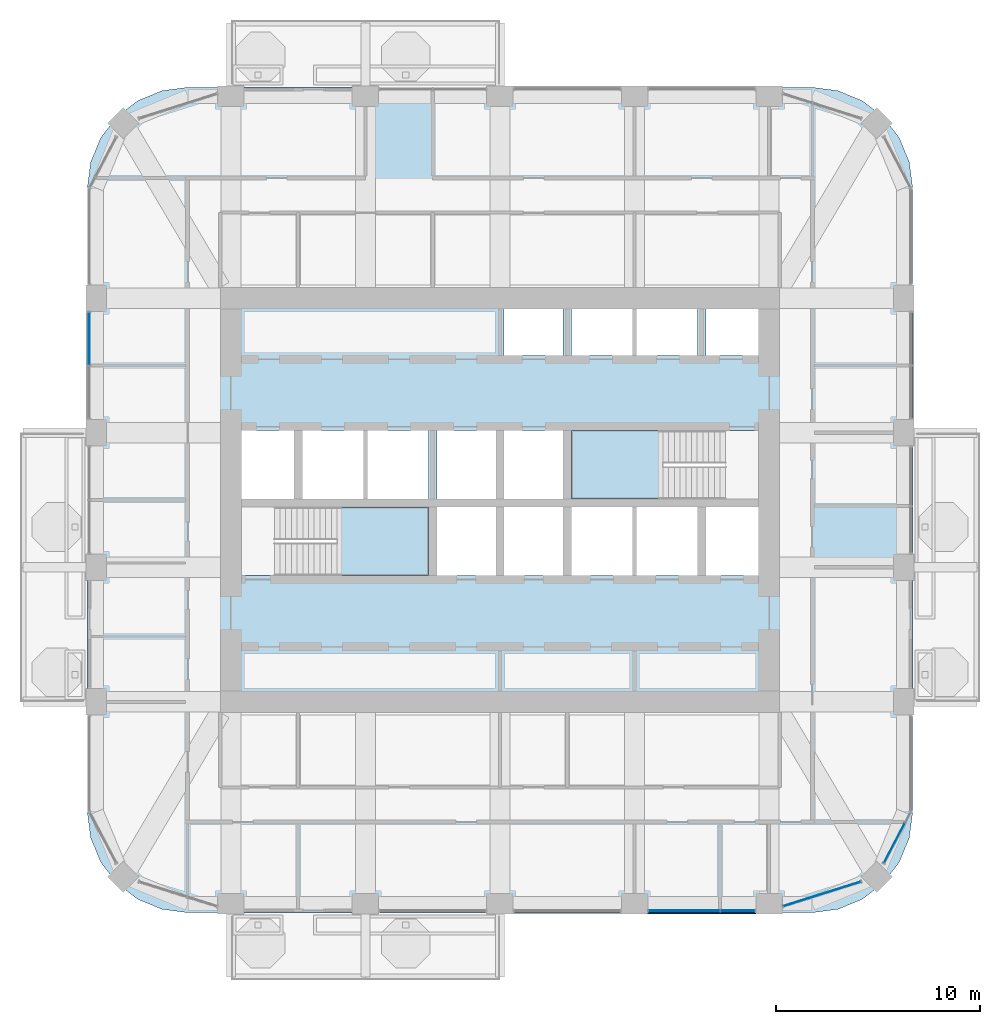
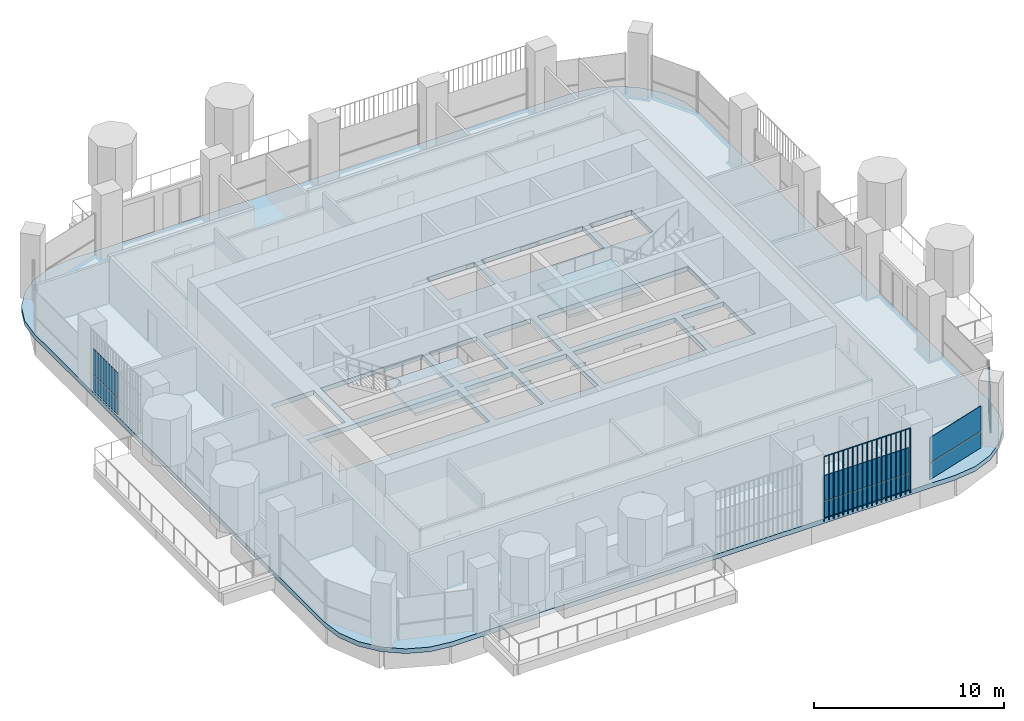
# One storey, part 8 of 19: 11 plates, 3 slabs, 6 elements without a shape of their own.
"""IFC4 building model written with IfcOpenShell, lengths in metres."""

from ifc_helpers import new_model, si_unit, direction, frame, origin, origin_2d, place, context, subcontext, project, spatial, polyline, rectangle, outline, extrude, material, layer, layer_set, type_object, element, aggregate, save


model = new_model("IFC4")

# Units and contexts
model_context = context("Model", 3, precision=1e-05, world=origin(), true_north=direction((0.0, 1.0)))
body_context = subcontext(model_context, "Body", "Model", "MODEL_VIEW")
ifc_project = project(units=[si_unit("LENGTHUNIT", "METRE"), si_unit("AREAUNIT", "SQUARE_METRE"), si_unit("VOLUMEUNIT", "CUBIC_METRE"), si_unit("PLANEANGLEUNIT", "RADIAN"), si_unit("MASSUNIT", "GRAM", prefix="KILO")], contexts=[model_context])

# Site, building, storey
site_placement = place(None, origin())
site = spatial("IfcSite", under=ifc_project, at=site_placement, CompositionType="ELEMENT")
building_placement = place(site_placement, origin())
building = spatial("IfcBuilding", under=site, at=building_placement, Name="Cobogo Forest Laboratory Tower", CompositionType="ELEMENT")
storey_placement = place(building_placement, frame((0.0, 0.0, 237.60009765625)))
storey = spatial("IfcBuildingStorey", under=building, at=storey_placement, Name="L54", CompositionType="ELEMENT", Elevation=237.60009765625)

# Slab
ifc_material_1 = material(Name="Concrete HA-40 (C40/50)", Category="concrete")
ifc_layer_1 = layer(ifc_material_1, 0.300048828125)
ifc_layer_set_1 = layer_set([ifc_layer_1], Name="Floor slab 300")
slab_type_1 = type_object("IfcSlabType", Name="Floor slab 300", PredefinedType="FLOOR", material=ifc_layer_set_1)
slab_1_placement = place(storey_placement, frame((0.0, 0.0, -0.300048828125)))
element("IfcSlab", 1, at=slab_1_placement, inside=storey, type_object=slab_type_1, Name="L54 floor slab", PredefinedType="FLOOR", context=body_context, shape_type="SweptSolid", body=[
    extrude(outline(polyline([(41.699951171875, 2.85009765625), (42.981201171875, 3.0185546875), (44.175048828125, 3.51318359375), (45.2001953125, 4.2998046875), (45.98681640625, 5.324951171875), (46.4814453125, 6.518798828125), (46.64990234375, 7.800048828125), (46.64990234375, 38.39990234375), (46.4814453125, 39.68115234375), (45.98681640625, 40.875), (45.2001953125, 41.900146484375), (44.175048828125, 42.686767578125), (42.981201171875, 43.181396484375), (41.699951171875, 43.35009765625), (11.10009765625, 43.35009765625), (9.81884765625, 43.181396484375), (8.625, 42.686767578125), (7.599853515625, 41.900146484375), (6.813232421875, 40.875), (6.318603515625, 39.68115234375), (6.14990234375, 38.39990234375), (6.14990234375, 7.800048828125), (6.318603515625, 6.518798828125), (6.813232421875, 5.324951171875), (7.599853515625, 4.2998046875), (8.625, 3.51318359375), (9.81884765625, 3.0185546875), (11.10009765625, 2.85009765625), (41.699951171875, 2.85009765625)]), holes=[polyline([(22.89990234375, 19.39990234375), (13.72509765625, 19.39990234375), (13.72509765625, 22.75), (22.89990234375, 22.75), (22.89990234375, 19.39990234375)]), polyline([(26.199951171875, 19.39990234375), (23.300048828125, 19.39990234375), (23.300048828125, 22.75), (26.199951171875, 22.75), (26.199951171875, 19.39990234375)]), polyline([(29.5, 19.39990234375), (26.60009765625, 19.39990234375), (26.60009765625, 22.75), (29.5, 22.75), (29.5, 19.39990234375)]), polyline([(36.10009765625, 22.75), (36.10009765625, 19.39990234375), (29.89990234375, 19.39990234375), (29.89990234375, 22.75), (36.10009765625, 22.75)]), polyline([(39.074951171875, 19.39990234375), (36.5, 19.39990234375), (36.5, 22.75), (39.074951171875, 22.75), (39.074951171875, 19.39990234375)]), polyline([(16.300048828125, 23.14990234375), (13.72509765625, 23.14990234375), (13.72509765625, 26.5), (16.300048828125, 26.5), (16.300048828125, 23.14990234375)]), polyline([(22.89990234375, 26.5), (22.89990234375, 23.14990234375), (16.699951171875, 23.14990234375), (16.699951171875, 26.5), (22.89990234375, 26.5)]), polyline([(26.199951171875, 23.14990234375), (23.300048828125, 23.14990234375), (23.300048828125, 26.5), (26.199951171875, 26.5), (26.199951171875, 23.14990234375)]), polyline([(29.5, 23.14990234375), (26.60009765625, 23.14990234375), (26.60009765625, 26.5), (29.5, 26.5), (29.5, 23.14990234375)]), polyline([(39.074951171875, 23.14990234375), (29.89990234375, 23.14990234375), (29.89990234375, 26.5), (39.074951171875, 26.5), (39.074951171875, 23.14990234375)]), polyline([(29.5, 30.199951171875), (26.60009765625, 30.199951171875), (26.60009765625, 32.47509765625), (29.5, 32.47509765625), (29.5, 30.199951171875)]), polyline([(36.10009765625, 32.47509765625), (36.10009765625, 30.199951171875), (29.89990234375, 30.199951171875), (29.89990234375, 32.47509765625), (36.10009765625, 32.47509765625)]), polyline([(39.074951171875, 30.199951171875), (36.5, 30.199951171875), (36.5, 32.47509765625), (39.074951171875, 32.47509765625), (39.074951171875, 30.199951171875)])]), origin(), (0.0, 0.0, 1.0), 0.300048828125),
])

# Curtain wall, plates
ifc_material_2 = material(Name="Aluminium curtain wall", Category="aluminium")
curtain_wall_type = type_object("IfcCurtainWallType", Name="CW-2 unitised curtain wall, solar control glazing, laboratory floors zones C and D", PredefinedType="USERDEFINED", material=ifc_material_2)
curtain_wall_1_placement = place(storey_placement, origin())
curtain_wall_1 = element("IfcCurtainWall", 2, at=curtain_wall_1_placement, inside=storey, type_object=curtain_wall_type, Name="Curtain wall 04 L54", ObjectType="UNITISED CURTAIN WALL", PredefinedType="USERDEFINED")
ifc_material_3 = material(Name="Solar control insulated glass", Category="glass")
ifc_layer_2 = layer(ifc_material_3, 0.031982421875)
ifc_layer_set_2 = layer_set([ifc_layer_2], Name="GP-2 solar control glass unit 32")
plate_type_1 = type_object("IfcPlateType", Name="GP-2 solar control glass unit 32", PredefinedType="CURTAIN_PANEL", material=ifc_layer_set_2)
plate_1_placement = place(storey_placement, frame((35.43994140625, 2.949951171875, 0.0), z_axis=(0.0, 0.0, 1.0), x_axis=(1.0, 0.0, 0.0)))
plate_1 = element("IfcPlate", 3, at=plate_1_placement, type_object=plate_type_1, Name="CW-2 panel 1.1", PredefinedType="CURTAIN_PANEL", context=body_context, shape_type="SweptSolid", body=[
    extrude(rectangle(XDim=3.4599609375, YDim=0.031982421875, at=origin_2d()), origin(), (0.0, 0.0, 1.0), 1.02001953125),
])
plate_2_placement = place(storey_placement, frame((35.43994140625, 2.949951171875, 1.079833984375), z_axis=(0.0, 0.0, 1.0), x_axis=(1.0, 0.0, 0.0)))
plate_2 = element("IfcPlate", 4, at=plate_2_placement, type_object=plate_type_1, Name="CW-2 panel 1.2", PredefinedType="CURTAIN_PANEL", context=body_context, shape_type="SweptSolid", body=[
    extrude(rectangle(XDim=3.4599609375, YDim=0.031982421875, at=origin_2d()), origin(), (0.0, 0.0, 1.0), 1.6201171875),
])
plate_3_placement = place(storey_placement, frame((38.06005859375, 2.949951171875, 0.0), z_axis=(0.0, 0.0, 1.0), x_axis=(1.0, 0.0, 0.0)))
plate_3 = element("IfcPlate", 5, at=plate_3_placement, type_object=plate_type_1, Name="CW-2 panel 2.1", PredefinedType="CURTAIN_PANEL", context=body_context, shape_type="SweptSolid", body=[
    extrude(rectangle(XDim=1.659912109375, YDim=0.031982421875, at=origin_2d()), origin(), (0.0, 0.0, 1.0), 1.02001953125),
])
plate_4_placement = place(storey_placement, frame((38.06005859375, 2.949951171875, 1.079833984375), z_axis=(0.0, 0.0, 1.0), x_axis=(1.0, 0.0, 0.0)))
plate_4 = element("IfcPlate", 6, at=plate_4_placement, type_object=plate_type_1, Name="CW-2 panel 2.2", PredefinedType="CURTAIN_PANEL", context=body_context, shape_type="SweptSolid", body=[
    extrude(rectangle(XDim=1.659912109375, YDim=0.031982421875, at=origin_2d()), origin(), (0.0, 0.0, 1.0), 1.6201171875),
])
aggregate(curtain_wall_1, [plate_1, plate_2, plate_3, plate_4])

curtain_wall_2_placement = place(storey_placement, origin())
curtain_wall_2 = element("IfcCurtainWall", 7, at=curtain_wall_2_placement, inside=storey, type_object=curtain_wall_type, Name="Curtain wall 05 L54", ObjectType="UNITISED CURTAIN WALL", PredefinedType="USERDEFINED")
plate_5_placement = place(storey_placement, frame((42.200439453125, 3.771240234375, 0.0), z_axis=(0.0, 0.0, 1.0), x_axis=(0.953581331491, 0.301135591107, 0.0)))
plate_5 = element("IfcPlate", 8, at=plate_5_placement, type_object=plate_type_1, Name="CW-2 panel 1.1", PredefinedType="CURTAIN_PANEL", context=body_context, shape_type="SweptSolid", body=[
    extrude(rectangle(XDim=3.970947265625, YDim=0.031982421875, at=origin_2d()), origin(), (0.0, 0.0, 1.0), 1.02001953125),
])
plate_6_placement = place(storey_placement, frame((42.200439453125, 3.771240234375, 1.079833984375), z_axis=(0.0, 0.0, 1.0), x_axis=(0.953581331491, 0.301135591107, 0.0)))
plate_6 = element("IfcPlate", 9, at=plate_6_placement, type_object=plate_type_1, Name="CW-2 panel 1.2", PredefinedType="CURTAIN_PANEL", context=body_context, shape_type="SweptSolid", body=[
    extrude(rectangle(XDim=3.970947265625, YDim=0.031982421875, at=origin_2d()), origin(), (0.0, 0.0, 1.0), 1.6201171875),
])
aggregate(curtain_wall_2, [plate_5, plate_6])

curtain_wall_3_placement = place(storey_placement, origin())
curtain_wall_3 = element("IfcCurtainWall", 10, at=curtain_wall_3_placement, inside=storey, type_object=curtain_wall_type, Name="Curtain wall 06 L54", ObjectType="UNITISED CURTAIN WALL", PredefinedType="USERDEFINED")
plate_7_placement = place(storey_placement, frame((45.74755859375, 6.269287109375, 0.0), z_axis=(0.0, 0.0, 1.0), x_axis=(0.464283804832, 0.885686484356, 0.0)))
plate_7 = element("IfcPlate", 11, at=plate_7_placement, type_object=plate_type_1, Name="CW-2 panel 1.1", PredefinedType="CURTAIN_PANEL", context=body_context, shape_type="SweptSolid", body=[
    extrude(rectangle(XDim=2.183837890625, YDim=0.031982421875, at=origin_2d()), origin(), (0.0, 0.0, 1.0), 1.02001953125),
])
plate_8_placement = place(storey_placement, frame((45.74755859375, 6.269287109375, 1.079833984375), z_axis=(0.0, 0.0, 1.0), x_axis=(0.464283804832, 0.885686484356, 0.0)))
plate_8 = element("IfcPlate", 12, at=plate_8_placement, type_object=plate_type_1, Name="CW-2 panel 1.2", PredefinedType="CURTAIN_PANEL", context=body_context, shape_type="SweptSolid", body=[
    extrude(rectangle(XDim=2.183837890625, YDim=0.031982421875, at=origin_2d()), origin(), (0.0, 0.0, 1.0), 1.6201171875),
])
aggregate(curtain_wall_3, [plate_7, plate_8])

curtain_wall_4_placement = place(storey_placement, origin())
curtain_wall_4 = element("IfcCurtainWall", 13, at=curtain_wall_4_placement, inside=storey, type_object=curtain_wall_type, Name="Curtain wall 21 L54", ObjectType="UNITISED CURTAIN WALL", PredefinedType="USERDEFINED")
plate_9_placement = place(storey_placement, frame((6.25, 31.010009765625, 0.0), z_axis=(0.0, 0.0, 1.0), x_axis=(0.0, -1.0, 0.0)))
plate_9 = element("IfcPlate", 14, at=plate_9_placement, type_object=plate_type_1, Name="CW-2 panel 1.1", PredefinedType="CURTAIN_PANEL", context=body_context, shape_type="SweptSolid", body=[
    extrude(rectangle(XDim=2.56005859375, YDim=0.031982421875, at=origin_2d()), origin(), (0.0, 0.0, 1.0), 1.02001953125),
])
plate_10_placement = place(storey_placement, frame((6.25, 31.010009765625, 1.079833984375), z_axis=(0.0, 0.0, 1.0), x_axis=(0.0, -1.0, 0.0)))
plate_10 = element("IfcPlate", 15, at=plate_10_placement, type_object=plate_type_1, Name="CW-2 panel 1.2", PredefinedType="CURTAIN_PANEL", context=body_context, shape_type="SweptSolid", body=[
    extrude(rectangle(XDim=2.56005859375, YDim=0.031982421875, at=origin_2d()), origin(), (0.0, 0.0, 1.0), 1.6201171875),
])
aggregate(curtain_wall_4, [plate_9, plate_10])

# Stair, slab
ifc_material_4 = material(Name="Precast concrete HA-40 (C40/50)", Category="concrete")
stair_type = type_object("IfcStairType", Name="ST24 exit stair 24 risers", PredefinedType="HALF_TURN_STAIR", material=ifc_material_4)
stair_1_placement = place(storey_placement, origin())
stair_1 = element("IfcStair", 16, at=stair_1_placement, inside=storey, type_object=stair_type, Name="Stair 1 L54 to L55", PredefinedType="HALF_TURN_STAIR")
ifc_layer_3 = layer(ifc_material_1, 0.199951171875)
ifc_layer_set_3 = layer_set([ifc_layer_3], Name="SL stair landing 200")
slab_type_2 = type_object("IfcSlabType", Name="SL stair landing 200", PredefinedType="LANDING", material=ifc_layer_set_3)
slab_2_placement = place(storey_placement, frame((0.0, 0.0, 1.89990234375)))
slab_2 = element("IfcSlab", 17, at=slab_2_placement, type_object=slab_type_2, Name="ST1 landing 2", PredefinedType="LANDING", context=body_context, shape_type="SweptSolid", body=[
    extrude(outline(polyline([(18.403076171875, 19.39990234375), (22.89990234375, 19.39990234375), (22.89990234375, 22.75), (18.403076171875, 22.75), (18.403076171875, 19.39990234375)])), origin(), (0.0, 0.0, 1.0), 0.199951171875),
])
aggregate(stair_1, [slab_2])

stair_2_placement = place(storey_placement, origin())
stair_2 = element("IfcStair", 18, at=stair_2_placement, inside=storey, type_object=stair_type, Name="Stair 2 L54 to L55", PredefinedType="HALF_TURN_STAIR")
slab_3_placement = place(storey_placement, frame((0.0, 0.0, 1.89990234375)))
slab_3 = element("IfcSlab", 19, at=slab_3_placement, type_object=slab_type_2, Name="ST2 landing 2", PredefinedType="LANDING", context=body_context, shape_type="SweptSolid", body=[
    extrude(outline(polyline([(29.89990234375, 23.14990234375), (34.39697265625, 23.14990234375), (34.39697265625, 26.5), (29.89990234375, 26.5), (29.89990234375, 23.14990234375)])), origin(), (0.0, 0.0, 1.0), 0.199951171875),
])
aggregate(stair_2, [slab_3])

# Plate
ifc_material_5 = material(Name="Terracotta", Category="masonry")
plate_type_2 = type_object("IfcPlateType", Name="TB1 terracotta baguette screen", PredefinedType="USERDEFINED", material=ifc_material_5)
plate_11_placement = place(storey_placement, frame((33.68115234375, 2.822021484375, -0.150146484375)))
element("IfcPlate", 20, at=plate_11_placement, inside=storey, type_object=plate_type_2, Name="Baguette screen S4 L54", ObjectType="BAGUETTE SCREEN", PredefinedType="USERDEFINED", context=body_context, shape_type="SweptSolid", body=[
    extrude(outline(polyline([(0.02880859375, 0.011962890625), (0.011962890625, 0.02880859375), (-0.011962890625, 0.02880859375), (-0.02880859375, 0.011962890625), (-0.02880859375, -0.011962890625), (-0.011962890625, -0.02880859375), (0.011962890625, -0.02880859375), (0.02880859375, -0.011962890625), (0.02880859375, 0.011962890625)])), frame((0.0, 0.0, 4.168701171875), z_axis=(1.0, 0.0, 0.0), x_axis=(0.0, 1.0, 0.0)), (0.0, 0.0, 1.0), 5.237548828125),
    extrude(outline(polyline([(0.02880859375, 0.011962890625), (0.011962890625, 0.02880859375), (-0.011962890625, 0.02880859375), (-0.02880859375, 0.011962890625), (-0.02880859375, -0.011962890625), (-0.011962890625, -0.02880859375), (0.011962890625, -0.02880859375), (0.02880859375, -0.011962890625), (0.02880859375, 0.011962890625)])), origin(), (0.0, 0.0, 1.0), 4.137451171875),
    extrude(outline(polyline([(0.02880859375, 0.011962890625), (0.011962890625, 0.02880859375), (-0.011962890625, 0.02880859375), (-0.02880859375, 0.011962890625), (-0.02880859375, -0.011962890625), (-0.011962890625, -0.02880859375), (0.011962890625, -0.02880859375), (0.02880859375, -0.011962890625), (0.02880859375, 0.011962890625)])), frame((0.291015625, 0.0, 0.0)), (0.0, 0.0, 1.0), 4.137451171875),
    extrude(outline(polyline([(0.02880859375, 0.011962890625), (0.011962890625, 0.02880859375), (-0.011962890625, 0.02880859375), (-0.02880859375, 0.011962890625), (-0.02880859375, -0.011962890625), (-0.011962890625, -0.02880859375), (0.011962890625, -0.02880859375), (0.02880859375, -0.011962890625), (0.02880859375, 0.011962890625)])), frame((0.58203125, 0.0, 0.0)), (0.0, 0.0, 1.0), 4.137451171875),
    extrude(outline(polyline([(0.02880859375, 0.011962890625), (0.011962890625, 0.02880859375), (-0.011962890625, 0.02880859375), (-0.02880859375, 0.011962890625), (-0.02880859375, -0.011962890625), (-0.011962890625, -0.02880859375), (0.011962890625, -0.02880859375), (0.02880859375, -0.011962890625), (0.02880859375, 0.011962890625)])), frame((0.873046875, 0.0, 0.0)), (0.0, 0.0, 1.0), 4.137451171875),
    extrude(outline(polyline([(0.02880859375, 0.011962890625), (0.011962890625, 0.02880859375), (-0.011962890625, 0.02880859375), (-0.02880859375, 0.011962890625), (-0.02880859375, -0.011962890625), (-0.011962890625, -0.02880859375), (0.011962890625, -0.02880859375), (0.02880859375, -0.011962890625), (0.02880859375, 0.011962890625)])), frame((1.163818359375, 0.0, 0.0)), (0.0, 0.0, 1.0), 4.137451171875),
    extrude(outline(polyline([(0.02880859375, 0.011962890625), (0.011962890625, 0.02880859375), (-0.011962890625, 0.02880859375), (-0.02880859375, 0.011962890625), (-0.02880859375, -0.011962890625), (-0.011962890625, -0.02880859375), (0.011962890625, -0.02880859375), (0.02880859375, -0.011962890625), (0.02880859375, 0.011962890625)])), frame((1.454833984375, 0.0, 0.0)), (0.0, 0.0, 1.0), 4.137451171875),
    extrude(outline(polyline([(0.02880859375, 0.011962890625), (0.011962890625, 0.02880859375), (-0.011962890625, 0.02880859375), (-0.02880859375, 0.011962890625), (-0.02880859375, -0.011962890625), (-0.011962890625, -0.02880859375), (0.011962890625, -0.02880859375), (0.02880859375, -0.011962890625), (0.02880859375, 0.011962890625)])), frame((1.745849609375, 0.0, 0.0)), (0.0, 0.0, 1.0), 4.137451171875),
    extrude(outline(polyline([(0.02880859375, 0.011962890625), (0.011962890625, 0.02880859375), (-0.011962890625, 0.02880859375), (-0.02880859375, 0.011962890625), (-0.02880859375, -0.011962890625), (-0.011962890625, -0.02880859375), (0.011962890625, -0.02880859375), (0.02880859375, -0.011962890625), (0.02880859375, 0.011962890625)])), frame((2.036865234375, 0.0, 0.0)), (0.0, 0.0, 1.0), 4.137451171875),
    extrude(outline(polyline([(0.02880859375, 0.011962890625), (0.011962890625, 0.02880859375), (-0.011962890625, 0.02880859375), (-0.02880859375, 0.011962890625), (-0.02880859375, -0.011962890625), (-0.011962890625, -0.02880859375), (0.011962890625, -0.02880859375), (0.02880859375, -0.011962890625), (0.02880859375, 0.011962890625)])), frame((2.327880859375, 0.0, 0.0)), (0.0, 0.0, 1.0), 4.137451171875),
    extrude(outline(polyline([(0.02880859375, 0.011962890625), (0.011962890625, 0.02880859375), (-0.011962890625, 0.02880859375), (-0.02880859375, 0.011962890625), (-0.02880859375, -0.011962890625), (-0.011962890625, -0.02880859375), (0.011962890625, -0.02880859375), (0.02880859375, -0.011962890625), (0.02880859375, 0.011962890625)])), frame((2.61865234375, 0.0, 0.0)), (0.0, 0.0, 1.0), 4.137451171875),
    extrude(outline(polyline([(0.02880859375, 0.011962890625), (0.011962890625, 0.02880859375), (-0.011962890625, 0.02880859375), (-0.02880859375, 0.011962890625), (-0.02880859375, -0.011962890625), (-0.011962890625, -0.02880859375), (0.011962890625, -0.02880859375), (0.02880859375, -0.011962890625), (0.02880859375, 0.011962890625)])), frame((2.90966796875, 0.0, 0.0)), (0.0, 0.0, 1.0), 4.137451171875),
    extrude(outline(polyline([(0.02880859375, 0.011962890625), (0.011962890625, 0.02880859375), (-0.011962890625, 0.02880859375), (-0.02880859375, 0.011962890625), (-0.02880859375, -0.011962890625), (-0.011962890625, -0.02880859375), (0.011962890625, -0.02880859375), (0.02880859375, -0.011962890625), (0.02880859375, 0.011962890625)])), frame((3.20068359375, 0.0, 0.0)), (0.0, 0.0, 1.0), 4.137451171875),
    extrude(outline(polyline([(0.02880859375, 0.011962890625), (0.011962890625, 0.02880859375), (-0.011962890625, 0.02880859375), (-0.02880859375, 0.011962890625), (-0.02880859375, -0.011962890625), (-0.011962890625, -0.02880859375), (0.011962890625, -0.02880859375), (0.02880859375, -0.011962890625), (0.02880859375, 0.011962890625)])), frame((3.49169921875, 0.0, 0.0)), (0.0, 0.0, 1.0), 4.137451171875),
    extrude(outline(polyline([(0.02880859375, 0.011962890625), (0.011962890625, 0.02880859375), (-0.011962890625, 0.02880859375), (-0.02880859375, 0.011962890625), (-0.02880859375, -0.011962890625), (-0.011962890625, -0.02880859375), (0.011962890625, -0.02880859375), (0.02880859375, -0.011962890625), (0.02880859375, 0.011962890625)])), frame((3.78271484375, 0.0, 0.0)), (0.0, 0.0, 1.0), 4.137451171875),
    extrude(outline(polyline([(0.02880859375, 0.011962890625), (0.011962890625, 0.02880859375), (-0.011962890625, 0.02880859375), (-0.02880859375, 0.011962890625), (-0.02880859375, -0.011962890625), (-0.011962890625, -0.02880859375), (0.011962890625, -0.02880859375), (0.02880859375, -0.011962890625), (0.02880859375, 0.011962890625)])), frame((4.07373046875, 0.0, 0.0)), (0.0, 0.0, 1.0), 4.137451171875),
    extrude(outline(polyline([(0.02880859375, 0.011962890625), (0.011962890625, 0.02880859375), (-0.011962890625, 0.02880859375), (-0.02880859375, 0.011962890625), (-0.02880859375, -0.011962890625), (-0.011962890625, -0.02880859375), (0.011962890625, -0.02880859375), (0.02880859375, -0.011962890625), (0.02880859375, 0.011962890625)])), frame((4.36474609375, 0.0, 0.0)), (0.0, 0.0, 1.0), 4.137451171875),
    extrude(outline(polyline([(0.02880859375, 0.011962890625), (0.011962890625, 0.02880859375), (-0.011962890625, 0.02880859375), (-0.02880859375, 0.011962890625), (-0.02880859375, -0.011962890625), (-0.011962890625, -0.02880859375), (0.011962890625, -0.02880859375), (0.02880859375, -0.011962890625), (0.02880859375, 0.011962890625)])), frame((4.655517578125, 0.0, 0.0)), (0.0, 0.0, 1.0), 4.137451171875),
    extrude(outline(polyline([(0.02880859375, 0.011962890625), (0.011962890625, 0.02880859375), (-0.011962890625, 0.02880859375), (-0.02880859375, 0.011962890625), (-0.02880859375, -0.011962890625), (-0.011962890625, -0.02880859375), (0.011962890625, -0.02880859375), (0.02880859375, -0.011962890625), (0.02880859375, 0.011962890625)])), frame((4.946533203125, 0.0, 0.0)), (0.0, 0.0, 1.0), 4.137451171875),
    extrude(outline(polyline([(0.02880859375, 0.011962890625), (0.011962890625, 0.02880859375), (-0.011962890625, 0.02880859375), (-0.02880859375, 0.011962890625), (-0.02880859375, -0.011962890625), (-0.011962890625, -0.02880859375), (0.011962890625, -0.02880859375), (0.02880859375, -0.011962890625), (0.02880859375, 0.011962890625)])), frame((5.237548828125, 0.0, 0.0)), (0.0, 0.0, 1.0), 4.137451171875),
])

save(model, "model.ifc")
